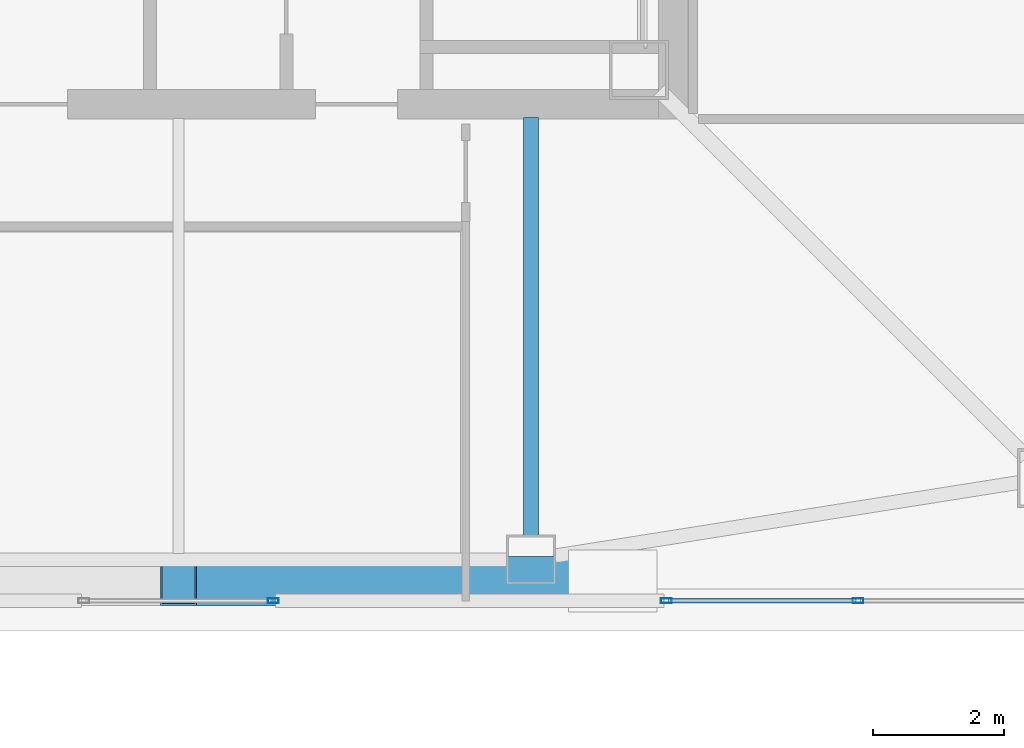
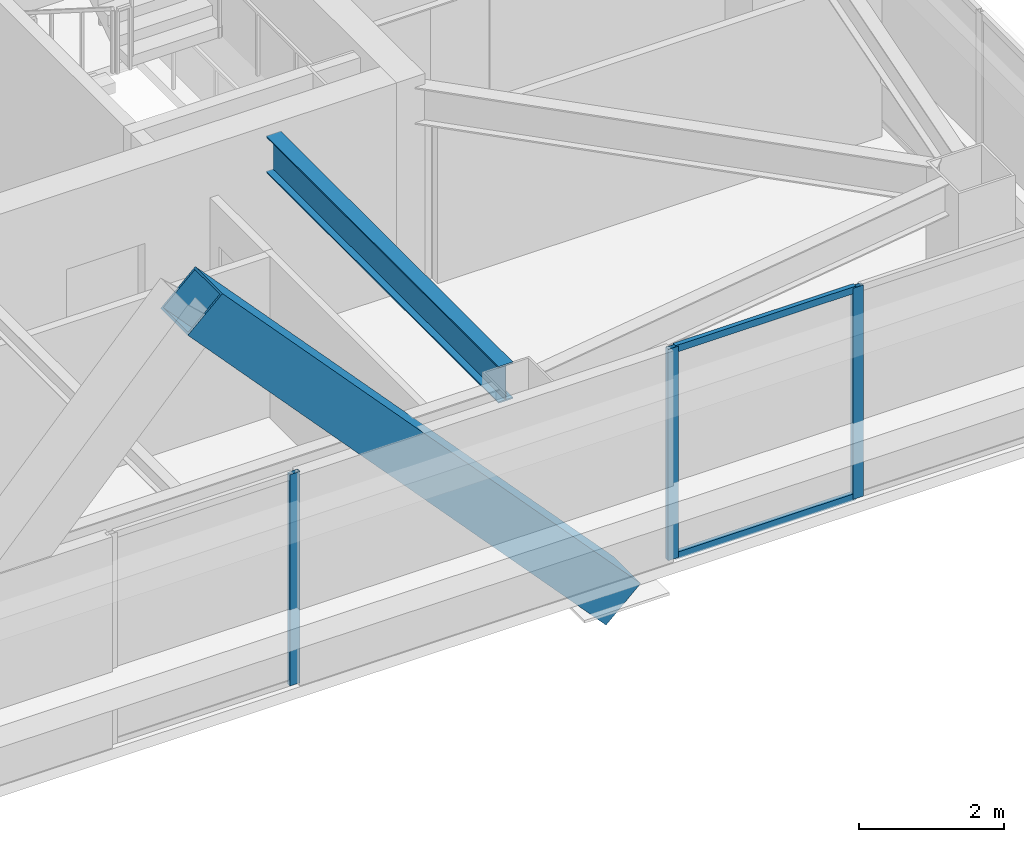
# One storey, part 6 of 24: 6 members, 1 beam, 2 elements without a shape of their own.
"""IFC4 building model written with IfcOpenShell, lengths in metres."""

from ifc_helpers import new_model, si_unit, direction, frame, origin, origin_2d, place, context, subcontext, project, spatial, hollow_rectangle, i_section, extrude, material, material_profile, profile_set, type_object, element, aggregate, save


model = new_model("IFC4")

# Units and contexts
model_context = context("Model", 3, precision=1e-05, world=origin(), true_north=direction((0.0, 1.0)))
body_context = subcontext(model_context, "Body", "Model", "MODEL_VIEW")
ifc_project = project(units=[si_unit("LENGTHUNIT", "METRE"), si_unit("AREAUNIT", "SQUARE_METRE"), si_unit("VOLUMEUNIT", "CUBIC_METRE"), si_unit("PLANEANGLEUNIT", "RADIAN"), si_unit("MASSUNIT", "GRAM", prefix="KILO")], contexts=[model_context])

# Site, building, storey
site_placement = place(None, origin())
site = spatial("IfcSite", under=ifc_project, at=site_placement, CompositionType="ELEMENT")
building_placement = place(site_placement, origin())
building = spatial("IfcBuilding", under=site, at=building_placement, Name="Tashvorn Skyway Center", CompositionType="ELEMENT")
storey_placement = place(building_placement, frame((0.0, 0.0, 270.5)))
storey = spatial("IfcBuildingStorey", under=building, at=storey_placement, Name="L73", CompositionType="ELEMENT", Elevation=270.5)

# Beam
ifc_material_1 = material(Name="Steel ASTM A992 Grade 50", Category="steel")
ifc_material_profile_1 = material_profile(ifc_material_1, i_section(OverallWidth=0.22998046875, OverallDepth=0.616943359375, WebThickness=0.01318359375, FlangeThickness=0.022216796875, at=origin_2d()), Name="W24X94")
ifc_profile_set_1 = profile_set([ifc_material_profile_1], Name="Steel ASTM A992 Grade 50")
beam_type = type_object("IfcBeamType", Name="BM-BEAM-W24X94", PredefinedType="BEAM", material=ifc_profile_set_1)
beam_placement = place(storey_placement, frame((47.39990234375, 17.820068359375, 3.0615234375), z_axis=(0.0, 1.0, 0.0), x_axis=(-1.0, 0.0, 0.0)))
element("IfcBeam", 1, at=beam_placement, inside=storey, type_object=beam_type, Name="Tower 1 L73 Primary Floor Girder FC-S2", PredefinedType="BEAM", context=body_context, shape_type="SweptSolid", body=[
    extrude(i_section(OverallWidth=0.22998046875, OverallDepth=0.616943359375, WebThickness=0.01318359375, FlangeThickness=0.022216796875, at=origin_2d()), origin(), (0.0, 0.0, 1.0), 6.39990234375),
])

# Curtain wall, members
ifc_material_2 = material(Name="Thermally broken bronze-anodized aluminium 6063-T6", Category="aluminium")
curtain_wall_type = type_object("IfcCurtainWallType", Name="CW-CW-Z5", PredefinedType="NOTDEFINED", material=ifc_material_2)
curtain_wall_1_placement = place(storey_placement, origin())
curtain_wall_1 = element("IfcCurtainWall", 2, at=curtain_wall_1_placement, inside=storey, type_object=curtain_wall_type, Name="Tower 1 L73 South Unitised Curtain Wall Glazing Group 1", PredefinedType="NOTDEFINED")
ifc_material_profile_2 = material_profile(ifc_material_2, hollow_rectangle(XDim=0.070068359375, YDim=0.1650390625, WallThickness=0.00390625, at=origin_2d()), Name="ALU-MULL-70x165")
ifc_profile_set_2 = profile_set([ifc_material_profile_2], Name="Thermally broken bronze-anodized aluminium 6063-T6")
member_type_1 = type_object("IfcMemberType", Name="CWM-CW-Z5", PredefinedType="MULLION", material=ifc_profile_set_2)
member_1_placement = place(storey_placement, frame((52.40673828125, 16.820068359375, 0.0), z_axis=(0.0, 0.0, 1.0), x_axis=(0.0, -1.0, 0.0)))
member_1 = element("IfcMember", 3, at=member_1_placement, type_object=member_type_1, Name="CW-Z5 mullion 2", PredefinedType="MULLION", context=body_context, shape_type="SweptSolid", body=[
    extrude(hollow_rectangle(XDim=0.070068359375, YDim=0.1650390625, WallThickness=0.00390625, at=origin_2d()), origin(), (0.0, 0.0, 1.0), 3.550048828125),
])
member_2_placement = place(storey_placement, frame((49.46826171875, 16.820068359375, 0.0), z_axis=(0.0, 0.0, 1.0), x_axis=(0.0, -1.0, 0.0)))
member_2 = element("IfcMember", 4, at=member_2_placement, type_object=member_type_1, Name="CW-Z5 mullion 3", PredefinedType="MULLION", context=body_context, shape_type="SweptSolid", body=[
    extrude(hollow_rectangle(XDim=0.070068359375, YDim=0.1650390625, WallThickness=0.00390625, at=origin_2d()), origin(), (0.0, 0.0, 1.0), 3.550048828125),
])

# Curtain wall, member
curtain_wall_2_placement = place(storey_placement, origin())
curtain_wall_2 = element("IfcCurtainWall", 5, at=curtain_wall_2_placement, inside=storey, type_object=curtain_wall_type, Name="Tower 1 L73 South Unitised Curtain Wall Glazing Group 2", PredefinedType="NOTDEFINED")
member_3_placement = place(storey_placement, frame((43.45166015625, 16.820068359375, 0.0), z_axis=(0.0, 0.0, 1.0), x_axis=(0.0, -1.0, 0.0)))
member_3 = element("IfcMember", 6, at=member_3_placement, type_object=member_type_1, Name="CW-Z5 mullion 1", PredefinedType="MULLION", context=body_context, shape_type="SweptSolid", body=[
    extrude(hollow_rectangle(XDim=0.070068359375, YDim=0.1650390625, WallThickness=0.00390625, at=origin_2d()), origin(), (0.0, 0.0, 1.0), 3.550048828125),
])
aggregate(curtain_wall_2, [member_3])

# Member
ifc_material_profile_3 = material_profile(ifc_material_2, hollow_rectangle(XDim=0.070068359375, YDim=0.114990234375, WallThickness=0.00390625, at=origin_2d()), Name="ALU-TRAN-70x115")
ifc_profile_set_3 = profile_set([ifc_material_profile_3], Name="Thermally broken bronze-anodized aluminium 6063-T6")
member_type_2 = type_object("IfcMemberType", Name="CWT-CW-Z5", PredefinedType="USERDEFINED", material=ifc_profile_set_3)
member_4_placement = place(storey_placement, frame((52.37158203125, 16.820068359375, 0.034912109375), z_axis=(-1.0, 0.0, 0.0), x_axis=(0.0, -1.0, 0.0)))
member_4 = element("IfcMember", 7, at=member_4_placement, type_object=member_type_2, Name="CW-Z5 transom 2.1", ObjectType="TRANSOM", PredefinedType="USERDEFINED", context=body_context, shape_type="SweptSolid", body=[
    extrude(hollow_rectangle(XDim=0.070068359375, YDim=0.114990234375, WallThickness=0.00390625, at=origin_2d()), origin(), (0.0, 0.0, 1.0), 2.8681640625),
])

member_5_placement = place(storey_placement, frame((52.37158203125, 16.820068359375, 3.514892578125), z_axis=(-1.0, 0.0, 0.0), x_axis=(0.0, -1.0, 0.0)))
member_5 = element("IfcMember", 8, at=member_5_placement, type_object=member_type_2, Name="CW-Z5 transom 2.2", ObjectType="TRANSOM", PredefinedType="USERDEFINED", context=body_context, shape_type="SweptSolid", body=[
    extrude(hollow_rectangle(XDim=0.070068359375, YDim=0.114990234375, WallThickness=0.00390625, at=origin_2d()), origin(), (0.0, 0.0, 1.0), 2.8681640625),
])

aggregate(curtain_wall_1, [member_1, member_2, member_4, member_5])

ifc_material_3 = material(Name="Steel ASTM A572 Grade 50", Category="steel")
ifc_material_profile_4 = material_profile(ifc_material_3, hollow_rectangle(XDim=0.75, YDim=0.75, WallThickness=0.031982421875, at=origin_2d()), Name="BOX750x750x32")
ifc_profile_set_4 = profile_set([ifc_material_profile_4], Name="Steel ASTM A572 Grade 50")
member_type_3 = type_object("IfcMemberType", Name="MEM-MB-750", PredefinedType="BRACE", material=ifc_profile_set_4)
member_6_placement = place(storey_placement, frame((48.64990234375, 17.1201171875, -0.449951171875), z_axis=(-0.678489061697, 0.0, 0.734610504388), x_axis=(0.0, -1.0, 0.0)))
element("IfcMember", 9, at=member_6_placement, inside=storey, type_object=member_type_3, Name="Tower 1 Zone 7 S Chevron Mega-Brace R2", PredefinedType="BRACE", context=body_context, shape_type="SweptSolid", body=[
    extrude(hollow_rectangle(XDim=0.75, YDim=0.75, WallThickness=0.031982421875, at=origin_2d()), origin(), (0.0, 0.0, 1.0), 9.801025390625),
])

save(model, "model.ifc")
